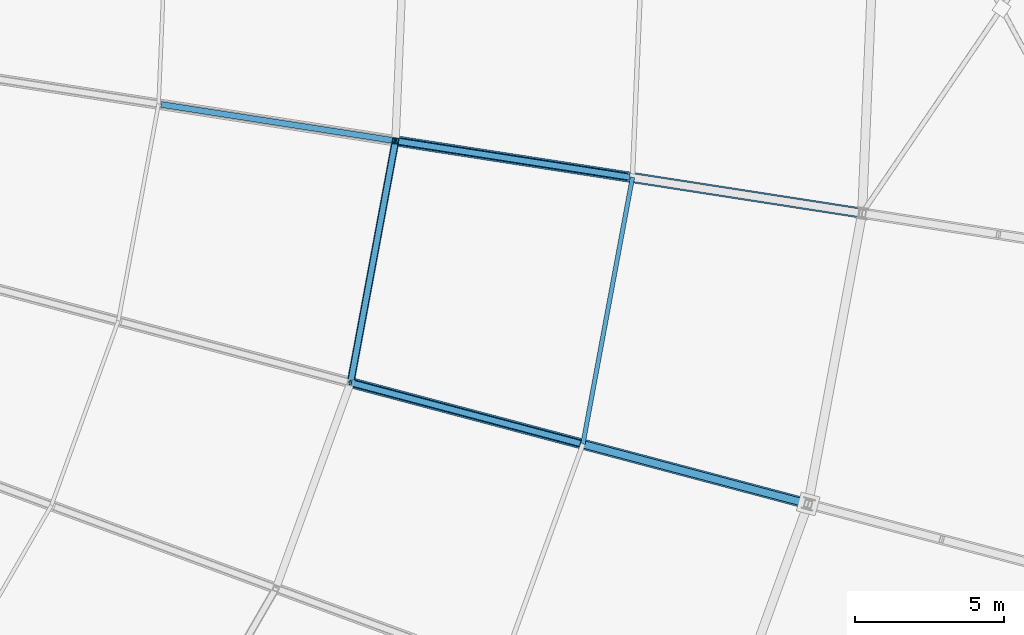
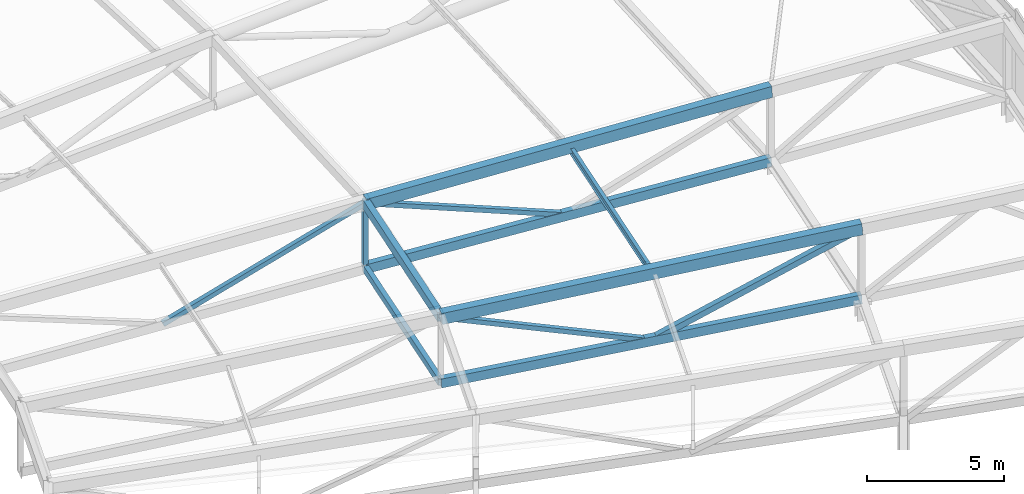
# One storey, part 68 of 143: 7 members, 5 beams.
"""IFC4 building model written with IfcOpenShell, lengths in metres."""

from ifc_helpers import new_model, si_unit, direction, frame, origin, origin_2d, place, context, subcontext, project, spatial, hollow_rectangle, i_section, extrude, material, material_profile, profile_set, type_object, element, save


model = new_model("IFC4")

# Units and contexts
model_context = context("Model", 3, precision=1e-05, world=origin(), true_north=direction((0.0, 1.0)))
body_context = subcontext(model_context, "Body", "Model", "MODEL_VIEW")
ifc_project = project(units=[si_unit("LENGTHUNIT", "METRE"), si_unit("AREAUNIT", "SQUARE_METRE"), si_unit("VOLUMEUNIT", "CUBIC_METRE"), si_unit("PLANEANGLEUNIT", "RADIAN"), si_unit("MASSUNIT", "GRAM", prefix="KILO")], contexts=[model_context])

# Site, building, storey
site_placement = place(None, origin())
site = spatial("IfcSite", under=ifc_project, at=site_placement, CompositionType="ELEMENT")
building_placement = place(site_placement, origin())
building = spatial("IfcBuilding", under=site, at=building_placement, Name="Mphavela Belvedere Stadium", CompositionType="ELEMENT")
storey_placement = place(building_placement, frame((0.0, 0.0, 28.800048828125)))
storey = spatial("IfcBuildingStorey", under=building, at=storey_placement, Name="RF", CompositionType="ELEMENT", Elevation=28.800048828125)

# Beams
ifc_material_1 = material(Name="Steel S355", Category="steel")
ifc_material_profile_1 = material_profile(ifc_material_1, hollow_rectangle(XDim=0.25, YDim=0.39990234375, WallThickness=0.01611328125, at=origin_2d()), Name="RHS 400x250x16")
ifc_profile_set_1 = profile_set([ifc_material_profile_1], Name="Steel S355")
beam_type_1 = type_object("IfcBeamType", Name="BM-RING-MID", PredefinedType="BEAM", material=ifc_profile_set_1)
beam_1_placement = place(storey_placement, frame((190.832275390625, 66.89013671875, 2.97705078125), z_axis=(0.182438230803, 0.982234667217, -0.043947132546), x_axis=(-0.983184563063, 0.182614662488, 0.0)))
element("IfcBeam", 1, at=beam_1_placement, inside=storey, type_object=beam_type_1, Name="Intermediate roof ring beam RB-MID-47", PredefinedType="BEAM", context=body_context, shape_type="SweptSolid", body=[
    extrude(hollow_rectangle(XDim=0.25, YDim=0.39990234375, WallThickness=0.01611328125, at=origin_2d()), origin(), (0.0, 0.0, 1.0), 8.2607421875),
])
ifc_material_2 = material(Name="Steel S355", Category="steel")
ifc_material_profile_2 = material_profile(ifc_material_2, hollow_rectangle(XDim=0.25, YDim=0.39990234375, WallThickness=0.01611328125, at=origin_2d()), Name="RHS 400x250x16")
ifc_profile_set_2 = profile_set([ifc_material_profile_2], Name="Steel S355")
beam_type_2 = type_object("IfcBeamType", Name="BM-TRUSS-BC2", PredefinedType="BEAM", material=ifc_profile_set_2)
beam_2_placement = place(storey_placement, frame((206.1875, 62.818115234375, 0.916748046875), z_axis=(-0.965242685849, 0.255970788732, -0.052777956859), x_axis=(-0.256328040197, -0.966589848803, 0.0)))
element("IfcBeam", 2, at=beam_2_placement, inside=storey, type_object=beam_type_2, Name="Radial roof truss RT-47 bottom chord 2", PredefinedType="BEAM", context=body_context, shape_type="SweptSolid", body=[
    extrude(hollow_rectangle(XDim=0.25, YDim=0.39990234375, WallThickness=0.01611328125, at=origin_2d()), origin(), (0.0, 0.0, 1.0), 15.908203125),
])
beam_3_placement = place(storey_placement, frame((208.0, 72.5751953125, 0.48046875), z_axis=(-0.9870314816, 0.153087896524, -0.048300623901), x_axis=(-0.153266782809, -0.988184847732, 0.0)))
element("IfcBeam", 3, at=beam_3_placement, inside=storey, type_object=beam_type_2, Name="Radial roof truss RT-48 bottom chord 2", PredefinedType="BEAM", context=body_context, shape_type="SweptSolid", body=[
    extrude(hollow_rectangle(XDim=0.25, YDim=0.39990234375, WallThickness=0.01611328125, at=origin_2d()), origin(), (0.0, 0.0, 1.0), 15.866455078125),
])
ifc_material_3 = material(Name="Steel S355", Category="steel")
ifc_material_profile_3 = material_profile(ifc_material_3, hollow_rectangle(XDim=0.35009765625, YDim=0.5, WallThickness=0.02001953125, at=origin_2d()), Name="RHS 500x350x20")
ifc_profile_set_3 = profile_set([ifc_material_profile_3], Name="Steel S355")
beam_type_3 = type_object("IfcBeamType", Name="BM-TRUSS-TC2", PredefinedType="BEAM", material=ifc_profile_set_3)
beam_4_placement = place(storey_placement, frame((206.1875, 62.818115234375, 4.06689453125), z_axis=(-0.964323205895, 0.255726953671, -0.068443259259), x_axis=(-0.256328040197, -0.966589848803, 0.0)))
element("IfcBeam", 4, at=beam_4_placement, inside=storey, type_object=beam_type_3, Name="Radial roof truss RT-47 top chord 2", PredefinedType="BEAM", context=body_context, shape_type="SweptSolid", body=[
    extrude(hollow_rectangle(XDim=0.35009765625, YDim=0.5, WallThickness=0.02001953125, at=origin_2d()), origin(), (0.0, 0.0, 1.0), 15.92333984375),
])
beam_5_placement = place(storey_placement, frame((208.0, 72.5751953125, 3.63037109375), z_axis=(-0.986158933324, 0.152952564893, -0.064000555599), x_axis=(-0.153266782809, -0.988184847732, 0.0)))
element("IfcBeam", 5, at=beam_5_placement, inside=storey, type_object=beam_type_3, Name="Radial roof truss RT-48 top chord 2", PredefinedType="BEAM", context=body_context, shape_type="SweptSolid", body=[
    extrude(hollow_rectangle(XDim=0.35009765625, YDim=0.5, WallThickness=0.02001953125, at=origin_2d()), origin(), (0.0, 0.0, 1.0), 15.88037109375),
])

# Members
ifc_material_4 = material(Name="Steel S355", Category="steel")
ifc_material_profile_4 = material_profile(ifc_material_4, hollow_rectangle(XDim=0.199951171875, YDim=0.199951171875, WallThickness=0.010009765625, at=origin_2d()), Name="SHS 200x200x10")
ifc_profile_set_4 = profile_set([ifc_material_profile_4], Name="Steel S355")
member_type_1 = type_object("IfcMemberType", Name="MEM-POST-SHS200", PredefinedType="POST", material=ifc_profile_set_4)
member_1_placement = place(storey_placement, frame((198.510009765625, 64.854248046875, 0.4970703125), z_axis=(-0.922668992957, 0.24466219576, 0.298030769221), x_axis=(-0.256309874085, -0.966594666055, 0.0)))
element("IfcMember", 6, at=member_1_placement, inside=storey, type_object=member_type_1, Name="Radial roof truss RT-47 web diagonal D4", PredefinedType="POST", context=body_context, shape_type="SweptSolid", body=[
    extrude(hollow_rectangle(XDim=0.199951171875, YDim=0.199951171875, WallThickness=0.010009765625, at=origin_2d()), origin(), (0.0, 0.0, 1.0), 8.3212890625),
])
member_2_placement = place(storey_placement, frame((192.33935546875, 75.004150390625, -0.285888671875), z_axis=(0.0, 0.0, 1.0), x_axis=(0.98817491911, -0.153330783737, 0.0)))
element("IfcMember", 7, at=member_2_placement, inside=storey, type_object=member_type_1, Name="Radial roof truss RT-48 post P3", PredefinedType="POST", context=body_context, shape_type="SweptSolid", body=[
    extrude(hollow_rectangle(XDim=0.199951171875, YDim=0.199951171875, WallThickness=0.010009765625, at=origin_2d()), origin(), (0.0, 0.0, 1.0), 2.89990234375),
])
member_3_placement = place(storey_placement, frame((200.169677734375, 73.78955078125, 0.09716796875), z_axis=(-0.94181610483, 0.146089705407, 0.302721361416), x_axis=(-0.153281826121, -0.988182514408, 0.0)))
element("IfcMember", 8, at=member_3_placement, inside=storey, type_object=member_type_1, Name="Radial roof truss RT-48 web diagonal D4", PredefinedType="POST", context=body_context, shape_type="SweptSolid", body=[
    extrude(hollow_rectangle(XDim=0.199951171875, YDim=0.199951171875, WallThickness=0.010009765625, at=origin_2d()), origin(), (0.0, 0.0, 1.0), 8.31396484375),
])
member_4_placement = place(storey_placement, frame((192.33935546875, 75.004150390625, 2.614013671875), z_axis=(-0.908822658651, 0.140943594429, -0.392652872538), x_axis=(-0.153251739391, -0.988187180839, 0.0)))
element("IfcMember", 9, at=member_4_placement, inside=storey, type_object=member_type_1, Name="Radial roof truss RT-48 web diagonal D5", PredefinedType="POST", context=body_context, shape_type="SweptSolid", body=[
    extrude(hollow_rectangle(XDim=0.199951171875, YDim=0.199951171875, WallThickness=0.010009765625, at=origin_2d()), origin(), (0.0, 0.0, 1.0), 8.615966796875),
])
ifc_material_5 = material(Name="Steel S355", Category="steel")
ifc_material_profile_5 = material_profile(ifc_material_5, hollow_rectangle(XDim=0.25, YDim=0.25, WallThickness=0.012451171875, at=origin_2d()), Name="SHS 250x250x12.5")
ifc_profile_set_5 = profile_set([ifc_material_profile_5], Name="Steel S355")
member_type_2 = type_object("IfcMemberType", Name="MEM-POST-SHS250", PredefinedType="POST", material=ifc_profile_set_5)
member_5_placement = place(storey_placement, frame((206.1875, 62.818115234375, 4.06689453125), z_axis=(-0.881635737055, 0.233816963368, -0.409936647287), x_axis=(-0.256346206615, -0.966585031104, 0.0)))
element("IfcMember", 10, at=member_5_placement, inside=storey, type_object=member_type_2, Name="Radial roof truss RT-47 web diagonal D3", PredefinedType="POST", context=body_context, shape_type="SweptSolid", body=[
    extrude(hollow_rectangle(XDim=0.25, YDim=0.25, WallThickness=0.012451171875, at=origin_2d()), origin(), (0.0, 0.0, 1.0), 8.708251953125),
])
ifc_material_6 = material(Name="Steel S355", Category="steel")
ifc_material_profile_6 = material_profile(ifc_material_6, i_section(OverallWidth=0.14990234375, OverallDepth=0.300048828125, WebThickness=0.007080078125, FlangeThickness=0.0107421875, at=origin_2d()), Name="IPE 300")
ifc_profile_set_6 = profile_set([ifc_material_profile_6], Name="Steel S355")
member_type_3 = type_object("IfcMemberType", Name="MEM-PURLIN-IPE300", PredefinedType="PURLIN", material=ifc_profile_set_6)
member_6_placement = place(storey_placement, frame((198.6279296875, 64.82275390625, 3.34033203125), z_axis=(0.182446845795, 0.982232930682, -0.043950180244), x_axis=(-0.983182956793, 0.18262331032, 0.0)))
element("IfcMember", 11, at=member_6_placement, inside=storey, type_object=member_type_3, Name="Saddle canopy steel purlin 47-2", PredefinedType="PURLIN", context=body_context, shape_type="SweptSolid", body=[
    extrude(i_section(OverallWidth=0.14990234375, OverallDepth=0.300048828125, WebThickness=0.007080078125, FlangeThickness=0.0107421875, at=origin_2d()), origin(), (0.0, 0.0, 1.0), 9.110107421875),
])
ifc_material_7 = material(Name="Steel S355", Category="steel")
ifc_material_profile_7 = material_profile(ifc_material_7, hollow_rectangle(XDim=0.199951171875, YDim=0.300048828125, WallThickness=0.011962890625, at=origin_2d()), Name="RHS 300x200x12")
ifc_profile_set_7 = profile_set([ifc_material_profile_7], Name="Steel S355")
member_type_4 = type_object("IfcMemberType", Name="MEM-SEC-CHORD", PredefinedType="CHORD", material=ifc_profile_set_7)
member_7_placement = place(storey_placement, frame((190.832275390625, 66.89013671875, 0.0771484375), z_axis=(0.182438230803, 0.982234667217, -0.043947132546), x_axis=(-0.983184563063, 0.182614662488, 0.0)))
element("IfcMember", 12, at=member_7_placement, inside=storey, type_object=member_type_4, Name="Secondary bottom roof tie chord 47", PredefinedType="CHORD", context=body_context, shape_type="SweptSolid", body=[
    extrude(hollow_rectangle(XDim=0.199951171875, YDim=0.300048828125, WallThickness=0.011962890625, at=origin_2d()), origin(), (0.0, 0.0, 1.0), 8.2607421875),
])

save(model, "model.ifc")
